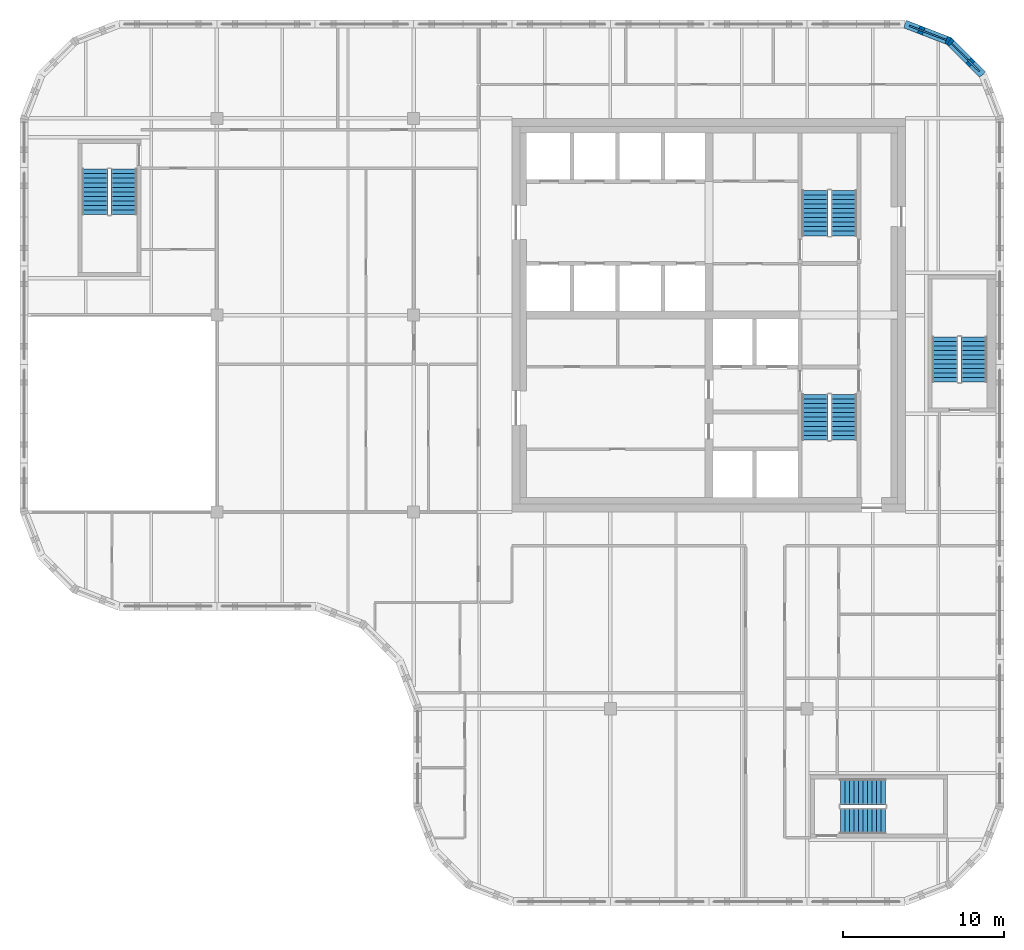
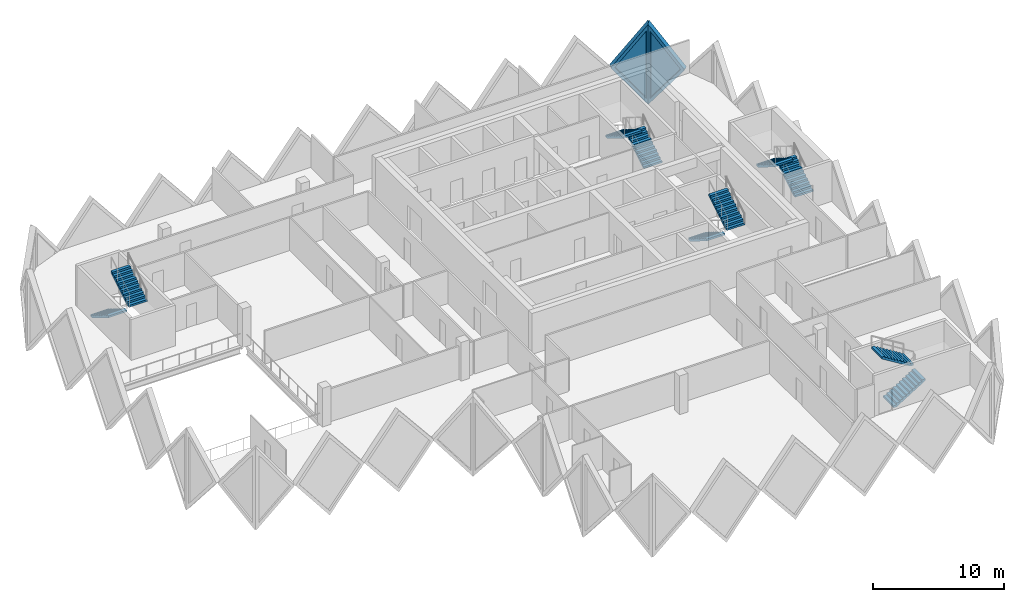
# One storey, part 10 of 11: 10 stair flights, 2 plates, 2 walls, 2 openings, 5 elements without a shape of their own.
"""IFC4 building model written with IfcOpenShell, lengths in metres."""

from ifc_helpers import new_model, si_unit, direction, frame, origin, place, context, subcontext, project, spatial, polyline, outline, extrude, faceted_brep, source, transform, mapped, material, layer, layer_set, type_object, element, fill, aggregate, save


model = new_model("IFC4")

# Units and contexts
model_context = context("Model", 3, precision=1e-05, world=origin(), true_north=direction((0.0, 1.0)))
body_context = subcontext(model_context, "Body", "Model", "MODEL_VIEW")
ifc_project = project(units=[si_unit("LENGTHUNIT", "METRE"), si_unit("AREAUNIT", "SQUARE_METRE"), si_unit("VOLUMEUNIT", "CUBIC_METRE"), si_unit("PLANEANGLEUNIT", "RADIAN"), si_unit("MASSUNIT", "GRAM", prefix="KILO")], contexts=[model_context])

# Site, building, storey
site_placement = place(None, origin())
site = spatial("IfcSite", under=ifc_project, at=site_placement, CompositionType="ELEMENT")
building_placement = place(site_placement, origin())
building = spatial("IfcBuilding", under=site, at=building_placement, Name="Tessera Gate Towers", CompositionType="ELEMENT")
storey_placement = place(building_placement, frame((0.0, 0.0, 201.699951171875)))
storey = spatial("IfcBuildingStorey", under=building, at=storey_placement, Name="L50", CompositionType="ELEMENT", Elevation=201.699951171875)

# Wall, opening, plate
ifc_material_1 = material(Name="Precast concrete C60/75 white", Category="concrete")
ifc_layer_1 = layer(ifc_material_1, 0.5)
ifc_layer_set_1 = layer_set([ifc_layer_1], Name="TS3 corner tessera")
wall_type = type_object("IfcWallType", Name="TS3 corner tessera", PredefinedType="SOLIDWALL", material=ifc_layer_set_1)
shared_shape_1 = source(origin(), body_context, "Body", "Brep", [
    faceted_brep([(2.944091796875, -0.25, 0.0), (2.9970703125, -0.25, 0.068115234375), (2.9970703125, -0.25, 7.531982421875), (2.944091796875, -0.25, 7.60009765625), (0.0, -0.25, 3.800048828125), (0.052978515625, 0.25, 3.868408203125), (2.89111328125, 0.25, 7.531982421875), (2.89111328125, 0.25, 0.068115234375), (0.052978515625, 0.25, 3.731689453125), (2.944091796875, 0.000244140625, 0.0), (2.944091796875, 0.000244140625, 7.60009765625), (0.0, 0.0, 3.800048828125)], [[[0, 1, 2, 3, 4]], [[5, 6, 7, 8]], [[1, 0, 9]], [[10, 3, 2]], [[6, 5, 11, 4, 3, 10]], [[8, 7, 9, 0, 4, 11]], [[8, 11, 5]], [[1, 9, 7, 6, 10, 2]]]),
])
wall_1_placement = place(storey_placement, frame((59.68798828125, 51.50634765625, -3.800048828125), z_axis=(0.0, 0.0, 1.0), x_axis=(-0.707106781187, 0.707106781187, 0.0)))
wall_1 = element("IfcWall", 1, at=wall_1_placement, inside=storey, type_object=wall_type, Name="Precast corner tessera T1 TS3-1159", PredefinedType="SOLIDWALL", context=body_context, shape_type="MappedRepresentation", body=[
    mapped(shared_shape_1, transform((0.0, 0.0, 0.0), scale=1.0)),
])
shared_shape_2 = source(origin(), body_context, "Body", "SweptSolid", [
    extrude(outline(polyline([(2.744140625, 6.933837890625), (0.316162109375, 3.800048828125), (2.744140625, 0.66650390625), (2.744140625, 6.933837890625)])), frame((0.0, 0.260009765625, 0.0), z_axis=(0.0, -1.0, 0.0), x_axis=(1.0, 0.0, 0.0)), (0.0, 0.0, 1.0), 0.52001953125),
])
opening_1_placement = place(wall_1_placement, origin())
opening_1 = element("IfcOpeningElement", 2, at=opening_1_placement, cuts=wall_1, Name="Opening T1-PL2-1755", PredefinedType="OPENING", context=body_context, shape_type="MappedRepresentation", body=[
    mapped(shared_shape_2, transform((0.0, 0.0, 0.0), scale=1.0)),
])
ifc_material_2 = material(Name="Low-e laminated glass", Category="glass")
ifc_layer_2 = layer(ifc_material_2, 0.06005859375)
ifc_layer_set_2 = layer_set([ifc_layer_2], Name="PL2 rhombic pane")
plate_type = type_object("IfcPlateType", Name="PL2 rhombic pane", PredefinedType="SHEET", material=ifc_layer_set_2)
shared_shape_3 = source(origin(), body_context, "Body", "SweptSolid", [
    extrude(outline(polyline([(2.744140625, 6.933837890625), (0.316162109375, 3.800048828125), (2.744140625, 0.66650390625), (2.744140625, 6.933837890625)])), frame((0.0, 0.030029296875, 0.0), z_axis=(0.0, -1.0, 0.0), x_axis=(1.0, 0.0, 0.0)), (0.0, 0.0, 1.0), 0.06005859375),
])
plate_1_placement = place(opening_1_placement, origin())
plate_1 = element("IfcPlate", 3, at=plate_1_placement, inside=storey, type_object=plate_type, Name="Glass pane T1 PL2-1755", PredefinedType="SHEET", context=body_context, shape_type="MappedRepresentation", body=[
    mapped(shared_shape_3, transform((0.0, 0.0, 0.0), scale=1.0)),
])
fill(opening_1, plate_1)

shared_shape_4 = source(origin(), body_context, "Body", "Brep", [
    faceted_brep([(0.052978515625, -0.25, 0.0), (3.00341796875, -0.25, 3.800048828125), (0.052978515625, -0.25, 7.60009765625), (0.0, -0.25, 7.53173828125), (0.0, -0.25, 0.068359375), (0.10595703125, 0.25, 7.531982421875), (2.95703125, 0.25, 3.85986328125), (2.95703125, 0.25, 3.740234375), (0.10595703125, 0.25, 0.068115234375), (3.00341796875, 0.00048828125, 3.800048828125), (0.052978515625, 0.0, 0.0), (0.052978515625, 0.0, 7.60009765625)], [[[0, 1, 2, 3, 4]], [[5, 6, 7, 8]], [[8, 7, 9, 1, 0, 10]], [[6, 5, 11, 2, 1, 9]], [[3, 2, 11]], [[10, 0, 4]], [[8, 10, 4, 3, 11, 5]], [[9, 7, 6]]]),
])
wall_2_placement = place(storey_placement, frame((57.65576171875, 53.569091796875, -3.800048828125), z_axis=(0.0, 0.0, 1.0), x_axis=(-0.933007896601, 0.359855894603, 0.0)))
wall_2 = element("IfcWall", 4, at=wall_2_placement, inside=storey, type_object=wall_type, Name="Precast corner tessera T1 TS3-1160", PredefinedType="SOLIDWALL", context=body_context, shape_type="MappedRepresentation", body=[
    mapped(shared_shape_4, transform((0.0, 0.0, 0.0), scale=1.0)),
])
shared_shape_5 = source(origin(), body_context, "Body", "SweptSolid", [
    extrude(outline(polyline([(0.2529296875, 0.665283203125), (2.68701171875, 3.800048828125), (0.2529296875, 6.934814453125), (0.2529296875, 0.665283203125)])), frame((0.0, 0.260009765625, 0.0), z_axis=(0.0, -1.0, 0.0), x_axis=(1.0, 0.0, 0.0)), (0.0, 0.0, 1.0), 0.52001953125),
])
opening_2_placement = place(wall_2_placement, origin())
opening_2 = element("IfcOpeningElement", 5, at=opening_2_placement, cuts=wall_2, Name="Opening T1-PL2-1756", PredefinedType="OPENING", context=body_context, shape_type="MappedRepresentation", body=[
    mapped(shared_shape_5, transform((0.0, 0.0, 0.0), scale=1.0)),
])
shared_shape_6 = source(origin(), body_context, "Body", "SweptSolid", [
    extrude(outline(polyline([(0.2529296875, 0.665283203125), (2.68701171875, 3.800048828125), (0.2529296875, 6.934814453125), (0.2529296875, 0.665283203125)])), frame((0.0, 0.030029296875, 0.0), z_axis=(0.0, -1.0, 0.0), x_axis=(1.0, 0.0, 0.0)), (0.0, 0.0, 1.0), 0.06005859375),
])
plate_2_placement = place(opening_2_placement, origin())
plate_2 = element("IfcPlate", 6, at=plate_2_placement, inside=storey, type_object=plate_type, Name="Glass pane T1 PL2-1756", PredefinedType="SHEET", context=body_context, shape_type="MappedRepresentation", body=[
    mapped(shared_shape_6, transform((0.0, 0.0, 0.0), scale=1.0)),
])
fill(opening_2, plate_2)

# Stair, stair flights
ifc_material_3 = material(Name="Concrete C40/50", Category="concrete")
stair_type_1 = type_object("IfcStairType", Name="EXIT STAIR ST1 1600", PredefinedType="HALF_TURN_STAIR", material=ifc_material_3)
stair_1_placement = place(storey_placement, origin())
stair_1 = element("IfcStair", 7, at=stair_1_placement, inside=storey, type_object=stair_type_1, Name="L50 Protected Exit Stair ST1", PredefinedType="HALF_TURN_STAIR")
ifc_material_4 = material(Name="Concrete C40/50", Category="concrete")
stair_flight_type_1 = type_object("IfcStairFlightType", Name="EXIT STAIR FLIGHT ST1 1600", PredefinedType="STRAIGHT", material=ifc_material_4)
stair_flight_1_placement = place(storey_placement, frame((49.27490234375, 31.675048828125, 0.0), z_axis=(0.0, 0.0, 1.0), x_axis=(0.0, -1.0, 0.0)))
stair_flight_1 = element("IfcStairFlight", 8, at=stair_flight_1_placement, type_object=stair_flight_type_1, Name="ST1 flight 1", NumberOfRisers=11, NumberOfTreads=10, PredefinedType="STRAIGHT", RiserHeight=0.172727273, TreadLength=0.28, context=body_context, shape_type="SweptSolid", body=[
    extrude(outline(polyline([(0.0, 0.0), (0.0, 0.172607421875), (0.280029296875, 0.172607421875), (0.280029296875, 0.345458984375), (0.56005859375, 0.345458984375), (0.56005859375, 0.51806640625), (0.840087890625, 0.51806640625), (0.840087890625, 0.69091796875), (1.1201171875, 0.69091796875), (1.1201171875, 0.863525390625), (1.39990234375, 0.863525390625), (1.39990234375, 1.036376953125), (1.679931640625, 1.036376953125), (1.679931640625, 1.208984375), (1.9599609375, 1.208984375), (1.9599609375, 1.3818359375), (2.239990234375, 1.3818359375), (2.239990234375, 1.554443359375), (2.52001953125, 1.554443359375), (2.52001953125, 1.727294921875), (2.800048828125, 1.727294921875), (2.800048828125, 1.89990234375), (2.800048828125, 1.551025390625), (0.285400390625, 0.0), (0.0, 0.0)])), frame((0.0, 0.800048828125, 0.0), z_axis=(0.0, -1.0, 0.0), x_axis=(1.0, 0.0, 0.0)), (0.0, 0.0, 1.0), 1.60009765625),
])
stair_flight_2_placement = place(storey_placement, frame((51.074951171875, 28.875, 1.900146484375), z_axis=(0.0, 0.0, 1.0), x_axis=(0.0, 1.0, 0.0)))
stair_flight_2 = element("IfcStairFlight", 9, at=stair_flight_2_placement, type_object=stair_flight_type_1, Name="ST1 flight 2", NumberOfRisers=11, NumberOfTreads=10, PredefinedType="STRAIGHT", RiserHeight=0.172727273, TreadLength=0.28, context=body_context, shape_type="SweptSolid", body=[
    extrude(outline(polyline([(0.0, 0.0), (0.0, 0.172607421875), (0.280029296875, 0.172607421875), (0.280029296875, 0.345458984375), (0.56005859375, 0.345458984375), (0.56005859375, 0.51806640625), (0.840087890625, 0.51806640625), (0.840087890625, 0.69091796875), (1.1201171875, 0.69091796875), (1.1201171875, 0.863525390625), (1.39990234375, 0.863525390625), (1.39990234375, 1.036376953125), (1.679931640625, 1.036376953125), (1.679931640625, 1.208984375), (1.9599609375, 1.208984375), (1.9599609375, 1.3818359375), (2.239990234375, 1.3818359375), (2.239990234375, 1.554443359375), (2.52001953125, 1.554443359375), (2.52001953125, 1.727294921875), (2.800048828125, 1.727294921875), (2.800048828125, 1.89990234375), (2.800048828125, 1.551025390625), (0.285400390625, 0.0), (0.0, 0.0)])), frame((0.0, 0.800048828125, 0.0), z_axis=(0.0, -1.0, 0.0), x_axis=(1.0, 0.0, 0.0)), (0.0, 0.0, 1.0), 1.60009765625),
])
aggregate(stair_1, [stair_flight_1, stair_flight_2])

ifc_material_5 = material(Name="Concrete C40/50", Category="concrete")
stair_type_2 = type_object("IfcStairType", Name="EXIT STAIR ST2 1600", PredefinedType="HALF_TURN_STAIR", material=ifc_material_5)
stair_2_placement = place(storey_placement, origin())
stair_2 = element("IfcStair", 10, at=stair_2_placement, inside=storey, type_object=stair_type_2, Name="L50 Protected Exit Stair ST2", PredefinedType="HALF_TURN_STAIR")
ifc_material_6 = material(Name="Concrete C40/50", Category="concrete")
stair_flight_type_2 = type_object("IfcStairFlightType", Name="EXIT STAIR FLIGHT ST2 1600", PredefinedType="STRAIGHT", material=ifc_material_6)
stair_flight_3_placement = place(storey_placement, frame((51.074951171875, 41.52490234375, 0.0), z_axis=(0.0, 0.0, 1.0), x_axis=(0.0, 1.0, 0.0)))
stair_flight_3 = element("IfcStairFlight", 11, at=stair_flight_3_placement, type_object=stair_flight_type_2, Name="ST2 flight 1", NumberOfRisers=11, NumberOfTreads=10, PredefinedType="STRAIGHT", RiserHeight=0.172727273, TreadLength=0.28, context=body_context, shape_type="SweptSolid", body=[
    extrude(outline(polyline([(0.0, 0.0), (0.0, 0.172607421875), (0.280029296875, 0.172607421875), (0.280029296875, 0.345458984375), (0.56005859375, 0.345458984375), (0.56005859375, 0.51806640625), (0.840087890625, 0.51806640625), (0.840087890625, 0.69091796875), (1.1201171875, 0.69091796875), (1.1201171875, 0.863525390625), (1.39990234375, 0.863525390625), (1.39990234375, 1.036376953125), (1.679931640625, 1.036376953125), (1.679931640625, 1.208984375), (1.9599609375, 1.208984375), (1.9599609375, 1.3818359375), (2.239990234375, 1.3818359375), (2.239990234375, 1.554443359375), (2.52001953125, 1.554443359375), (2.52001953125, 1.727294921875), (2.800048828125, 1.727294921875), (2.800048828125, 1.89990234375), (2.800048828125, 1.551025390625), (0.285400390625, 0.0), (0.0, 0.0)])), frame((0.0, 0.800048828125, 0.0), z_axis=(0.0, -1.0, 0.0), x_axis=(1.0, 0.0, 0.0)), (0.0, 0.0, 1.0), 1.60009765625),
])
stair_flight_4_placement = place(storey_placement, frame((49.27490234375, 44.324951171875, 1.900146484375), z_axis=(0.0, 0.0, 1.0), x_axis=(0.0, -1.0, 0.0)))
stair_flight_4 = element("IfcStairFlight", 12, at=stair_flight_4_placement, type_object=stair_flight_type_2, Name="ST2 flight 2", NumberOfRisers=11, NumberOfTreads=10, PredefinedType="STRAIGHT", RiserHeight=0.172727273, TreadLength=0.28, context=body_context, shape_type="SweptSolid", body=[
    extrude(outline(polyline([(0.0, 0.0), (0.0, 0.172607421875), (0.280029296875, 0.172607421875), (0.280029296875, 0.345458984375), (0.56005859375, 0.345458984375), (0.56005859375, 0.51806640625), (0.840087890625, 0.51806640625), (0.840087890625, 0.69091796875), (1.1201171875, 0.69091796875), (1.1201171875, 0.863525390625), (1.39990234375, 0.863525390625), (1.39990234375, 1.036376953125), (1.679931640625, 1.036376953125), (1.679931640625, 1.208984375), (1.9599609375, 1.208984375), (1.9599609375, 1.3818359375), (2.239990234375, 1.3818359375), (2.239990234375, 1.554443359375), (2.52001953125, 1.554443359375), (2.52001953125, 1.727294921875), (2.800048828125, 1.727294921875), (2.800048828125, 1.89990234375), (2.800048828125, 1.551025390625), (0.285400390625, 0.0), (0.0, 0.0)])), frame((0.0, 0.800048828125, 0.0), z_axis=(0.0, -1.0, 0.0), x_axis=(1.0, 0.0, 0.0)), (0.0, 0.0, 1.0), 1.60009765625),
])
aggregate(stair_2, [stair_flight_3, stair_flight_4])

ifc_material_7 = material(Name="Concrete C40/50", Category="concrete")
stair_type_3 = type_object("IfcStairType", Name="EXIT STAIR ST3 1600", PredefinedType="HALF_TURN_STAIR", material=ifc_material_7)
stair_3_placement = place(storey_placement, origin())
stair_3 = element("IfcStair", 13, at=stair_3_placement, inside=storey, type_object=stair_type_3, Name="L50 West Exit Stair ST3", PredefinedType="HALF_TURN_STAIR")
ifc_material_8 = material(Name="Concrete C40/50", Category="concrete")
stair_flight_type_3 = type_object("IfcStairFlightType", Name="EXIT STAIR FLIGHT ST3 1600", PredefinedType="STRAIGHT", material=ifc_material_8)
stair_flight_5_placement = place(storey_placement, frame((4.64990234375, 45.64990234375, 0.0), z_axis=(0.0, 0.0, 1.0), x_axis=(0.0, -1.0, 0.0)))
stair_flight_5 = element("IfcStairFlight", 14, at=stair_flight_5_placement, type_object=stair_flight_type_3, Name="ST3 flight 1", NumberOfRisers=11, NumberOfTreads=10, PredefinedType="STRAIGHT", RiserHeight=0.172727273, TreadLength=0.28, context=body_context, shape_type="SweptSolid", body=[
    extrude(outline(polyline([(0.0, 0.0), (0.0, 0.172607421875), (0.280029296875, 0.172607421875), (0.280029296875, 0.345458984375), (0.56005859375, 0.345458984375), (0.56005859375, 0.51806640625), (0.840087890625, 0.51806640625), (0.840087890625, 0.69091796875), (1.1201171875, 0.69091796875), (1.1201171875, 0.863525390625), (1.39990234375, 0.863525390625), (1.39990234375, 1.036376953125), (1.679931640625, 1.036376953125), (1.679931640625, 1.208984375), (1.9599609375, 1.208984375), (1.9599609375, 1.3818359375), (2.239990234375, 1.3818359375), (2.239990234375, 1.554443359375), (2.52001953125, 1.554443359375), (2.52001953125, 1.727294921875), (2.800048828125, 1.727294921875), (2.800048828125, 1.89990234375), (2.800048828125, 1.551025390625), (0.285400390625, 0.0), (0.0, 0.0)])), frame((0.0, 0.800048828125, 0.0), z_axis=(0.0, -1.0, 0.0), x_axis=(1.0, 0.0, 0.0)), (0.0, 0.0, 1.0), 1.60009765625),
])
stair_flight_6_placement = place(storey_placement, frame((6.449951171875, 42.85009765625, 1.900146484375), z_axis=(0.0, 0.0, 1.0), x_axis=(0.0, 1.0, 0.0)))
stair_flight_6 = element("IfcStairFlight", 15, at=stair_flight_6_placement, type_object=stair_flight_type_3, Name="ST3 flight 2", NumberOfRisers=11, NumberOfTreads=10, PredefinedType="STRAIGHT", RiserHeight=0.172727273, TreadLength=0.28, context=body_context, shape_type="SweptSolid", body=[
    extrude(outline(polyline([(0.0, 0.0), (0.0, 0.172607421875), (0.280029296875, 0.172607421875), (0.280029296875, 0.345458984375), (0.56005859375, 0.345458984375), (0.56005859375, 0.51806640625), (0.840087890625, 0.51806640625), (0.840087890625, 0.69091796875), (1.1201171875, 0.69091796875), (1.1201171875, 0.863525390625), (1.39990234375, 0.863525390625), (1.39990234375, 1.036376953125), (1.679931640625, 1.036376953125), (1.679931640625, 1.208984375), (1.9599609375, 1.208984375), (1.9599609375, 1.3818359375), (2.239990234375, 1.3818359375), (2.239990234375, 1.554443359375), (2.52001953125, 1.554443359375), (2.52001953125, 1.727294921875), (2.800048828125, 1.727294921875), (2.800048828125, 1.89990234375), (2.800048828125, 1.551025390625), (0.285400390625, 0.0), (0.0, 0.0)])), frame((0.0, 0.800048828125, 0.0), z_axis=(0.0, -1.0, 0.0), x_axis=(1.0, 0.0, 0.0)), (0.0, 0.0, 1.0), 1.60009765625),
])
aggregate(stair_3, [stair_flight_5, stair_flight_6])

ifc_material_9 = material(Name="Concrete C40/50", Category="concrete")
stair_type_4 = type_object("IfcStairType", Name="EXIT STAIR ST4 1600", PredefinedType="HALF_TURN_STAIR", material=ifc_material_9)
stair_4_placement = place(storey_placement, origin())
stair_4 = element("IfcStair", 16, at=stair_4_placement, inside=storey, type_object=stair_type_4, Name="L50 South Exit Stair ST4", PredefinedType="HALF_TURN_STAIR")
ifc_material_10 = material(Name="Concrete C40/50", Category="concrete")
stair_flight_type_4 = type_object("IfcStairFlightType", Name="EXIT STAIR FLIGHT ST4 1600", PredefinedType="STRAIGHT", material=ifc_material_10)
stair_flight_7_placement = place(storey_placement, frame((50.85009765625, 5.25, 0.0), z_axis=(0.0, 0.0, 1.0), x_axis=(1.0, 0.0, 0.0)))
stair_flight_7 = element("IfcStairFlight", 17, at=stair_flight_7_placement, type_object=stair_flight_type_4, Name="ST4 flight 1", NumberOfRisers=11, NumberOfTreads=10, PredefinedType="STRAIGHT", RiserHeight=0.172727273, TreadLength=0.28, context=body_context, shape_type="SweptSolid", body=[
    extrude(outline(polyline([(0.0, 0.0), (0.0, 0.172607421875), (0.280029296875, 0.172607421875), (0.280029296875, 0.345458984375), (0.56005859375, 0.345458984375), (0.56005859375, 0.51806640625), (0.840087890625, 0.51806640625), (0.840087890625, 0.69091796875), (1.1201171875, 0.69091796875), (1.1201171875, 0.863525390625), (1.39990234375, 0.863525390625), (1.39990234375, 1.036376953125), (1.679931640625, 1.036376953125), (1.679931640625, 1.208984375), (1.9599609375, 1.208984375), (1.9599609375, 1.3818359375), (2.239990234375, 1.3818359375), (2.239990234375, 1.554443359375), (2.52001953125, 1.554443359375), (2.52001953125, 1.727294921875), (2.800048828125, 1.727294921875), (2.800048828125, 1.89990234375), (2.800048828125, 1.551025390625), (0.285400390625, 0.0), (0.0, 0.0)])), frame((0.0, 0.800048828125, 0.0), z_axis=(0.0, -1.0, 0.0), x_axis=(1.0, 0.0, 0.0)), (0.0, 0.0, 1.0), 1.60009765625),
])
stair_flight_8_placement = place(storey_placement, frame((53.64990234375, 7.050048828125, 1.900146484375), z_axis=(0.0, 0.0, 1.0), x_axis=(-1.0, 0.0, 0.0)))
stair_flight_8 = element("IfcStairFlight", 18, at=stair_flight_8_placement, type_object=stair_flight_type_4, Name="ST4 flight 2", NumberOfRisers=11, NumberOfTreads=10, PredefinedType="STRAIGHT", RiserHeight=0.172727273, TreadLength=0.28, context=body_context, shape_type="SweptSolid", body=[
    extrude(outline(polyline([(0.0, 0.0), (0.0, 0.172607421875), (0.280029296875, 0.172607421875), (0.280029296875, 0.345458984375), (0.56005859375, 0.345458984375), (0.56005859375, 0.51806640625), (0.840087890625, 0.51806640625), (0.840087890625, 0.69091796875), (1.1201171875, 0.69091796875), (1.1201171875, 0.863525390625), (1.39990234375, 0.863525390625), (1.39990234375, 1.036376953125), (1.679931640625, 1.036376953125), (1.679931640625, 1.208984375), (1.9599609375, 1.208984375), (1.9599609375, 1.3818359375), (2.239990234375, 1.3818359375), (2.239990234375, 1.554443359375), (2.52001953125, 1.554443359375), (2.52001953125, 1.727294921875), (2.800048828125, 1.727294921875), (2.800048828125, 1.89990234375), (2.800048828125, 1.551025390625), (0.285400390625, 0.0), (0.0, 0.0)])), frame((0.0, 0.800048828125, 0.0), z_axis=(0.0, -1.0, 0.0), x_axis=(1.0, 0.0, 0.0)), (0.0, 0.0, 1.0), 1.60009765625),
])
aggregate(stair_4, [stair_flight_7, stair_flight_8])

ifc_material_11 = material(Name="Concrete C40/50", Category="concrete")
stair_type_5 = type_object("IfcStairType", Name="EXIT STAIR ST5 1600", PredefinedType="HALF_TURN_STAIR", material=ifc_material_11)
stair_5_placement = place(storey_placement, origin())
stair_5 = element("IfcStair", 19, at=stair_5_placement, inside=storey, type_object=stair_type_5, Name="L50 East Exit Stair ST5", PredefinedType="HALF_TURN_STAIR")
ifc_material_12 = material(Name="Concrete C40/50", Category="concrete")
stair_flight_type_5 = type_object("IfcStairFlightType", Name="EXIT STAIR FLIGHT ST5 1600", PredefinedType="STRAIGHT", material=ifc_material_12)
stair_flight_9_placement = place(storey_placement, frame((59.14990234375, 32.449951171875, 0.0), z_axis=(0.0, 0.0, 1.0), x_axis=(0.0, 1.0, 0.0)))
stair_flight_9 = element("IfcStairFlight", 20, at=stair_flight_9_placement, type_object=stair_flight_type_5, Name="ST5 flight 1", NumberOfRisers=11, NumberOfTreads=10, PredefinedType="STRAIGHT", RiserHeight=0.172727273, TreadLength=0.28, context=body_context, shape_type="SweptSolid", body=[
    extrude(outline(polyline([(0.0, 0.0), (0.0, 0.172607421875), (0.280029296875, 0.172607421875), (0.280029296875, 0.345458984375), (0.56005859375, 0.345458984375), (0.56005859375, 0.51806640625), (0.840087890625, 0.51806640625), (0.840087890625, 0.69091796875), (1.1201171875, 0.69091796875), (1.1201171875, 0.863525390625), (1.39990234375, 0.863525390625), (1.39990234375, 1.036376953125), (1.679931640625, 1.036376953125), (1.679931640625, 1.208984375), (1.9599609375, 1.208984375), (1.9599609375, 1.3818359375), (2.239990234375, 1.3818359375), (2.239990234375, 1.554443359375), (2.52001953125, 1.554443359375), (2.52001953125, 1.727294921875), (2.800048828125, 1.727294921875), (2.800048828125, 1.89990234375), (2.800048828125, 1.551025390625), (0.285400390625, 0.0), (0.0, 0.0)])), frame((0.0, 0.800048828125, 0.0), z_axis=(0.0, -1.0, 0.0), x_axis=(1.0, 0.0, 0.0)), (0.0, 0.0, 1.0), 1.60009765625),
])
stair_flight_10_placement = place(storey_placement, frame((57.35009765625, 35.25, 1.900146484375), z_axis=(0.0, 0.0, 1.0), x_axis=(0.0, -1.0, 0.0)))
stair_flight_10 = element("IfcStairFlight", 21, at=stair_flight_10_placement, type_object=stair_flight_type_5, Name="ST5 flight 2", NumberOfRisers=11, NumberOfTreads=10, PredefinedType="STRAIGHT", RiserHeight=0.172727273, TreadLength=0.28, context=body_context, shape_type="SweptSolid", body=[
    extrude(outline(polyline([(0.0, 0.0), (0.0, 0.172607421875), (0.280029296875, 0.172607421875), (0.280029296875, 0.345458984375), (0.56005859375, 0.345458984375), (0.56005859375, 0.51806640625), (0.840087890625, 0.51806640625), (0.840087890625, 0.69091796875), (1.1201171875, 0.69091796875), (1.1201171875, 0.863525390625), (1.39990234375, 0.863525390625), (1.39990234375, 1.036376953125), (1.679931640625, 1.036376953125), (1.679931640625, 1.208984375), (1.9599609375, 1.208984375), (1.9599609375, 1.3818359375), (2.239990234375, 1.3818359375), (2.239990234375, 1.554443359375), (2.52001953125, 1.554443359375), (2.52001953125, 1.727294921875), (2.800048828125, 1.727294921875), (2.800048828125, 1.89990234375), (2.800048828125, 1.551025390625), (0.285400390625, 0.0), (0.0, 0.0)])), frame((0.0, 0.800048828125, 0.0), z_axis=(0.0, -1.0, 0.0), x_axis=(1.0, 0.0, 0.0)), (0.0, 0.0, 1.0), 1.60009765625),
])
aggregate(stair_5, [stair_flight_9, stair_flight_10])

save(model, "model.ifc")
